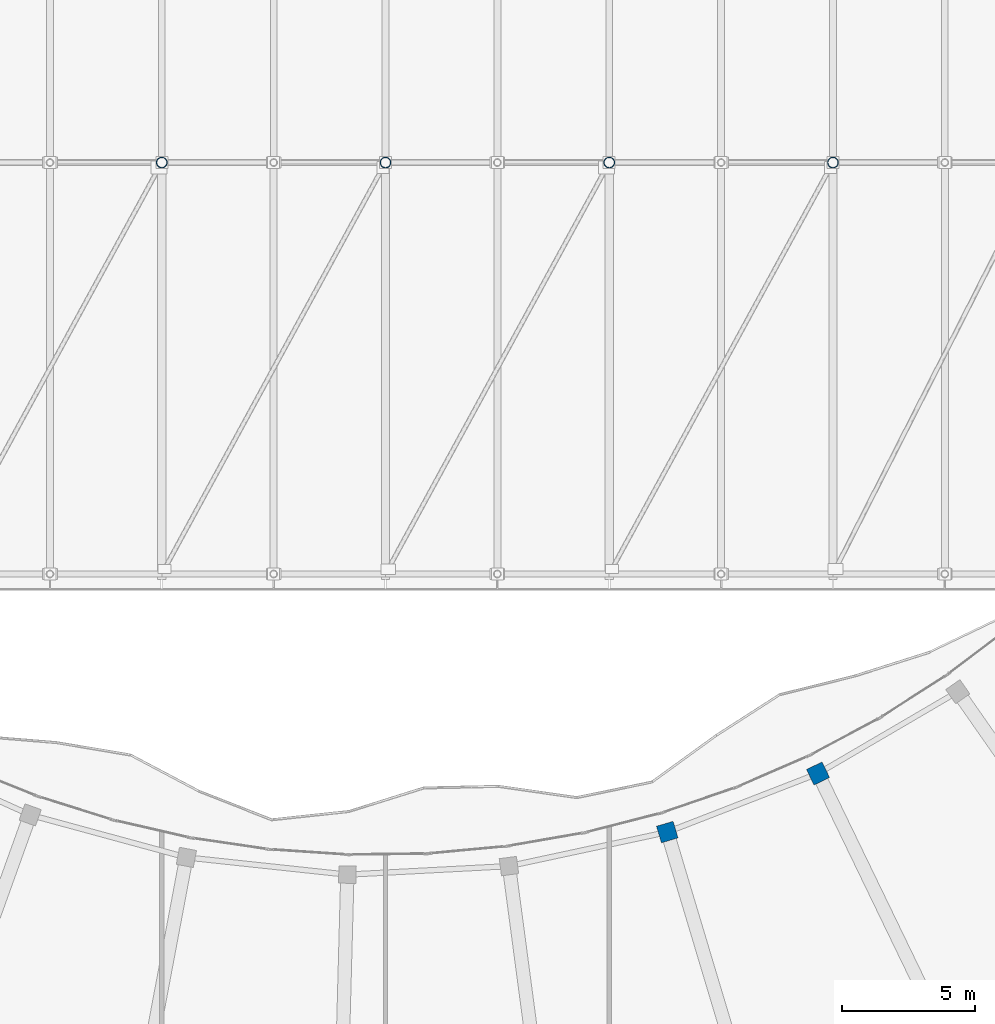
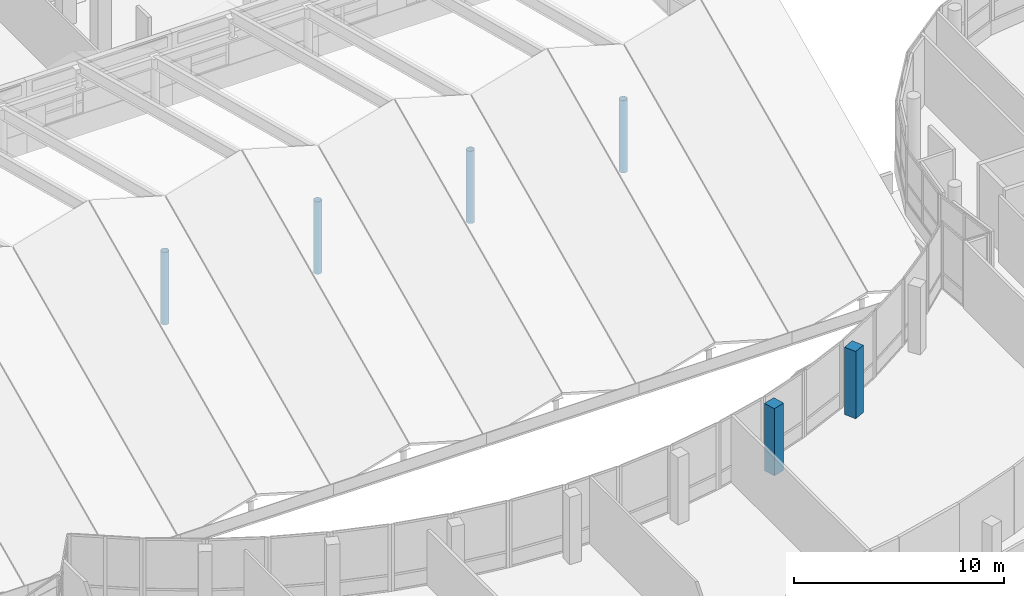
# One storey, part 3 of 184: 6 columns.
"""IFC4 building model written with IfcOpenShell, lengths in metres."""

from ifc_helpers import new_model, si_unit, direction, frame, origin, origin_2d, place, context, subcontext, project, spatial, rectangle, hollow_circle, extrude, material, material_profile, profile_set, type_object, element, save


model = new_model("IFC4")

# Units and contexts
model_context = context("Model", 3, precision=1e-05, world=origin(), true_north=direction((0.0, 1.0)))
body_context = subcontext(model_context, "Body", "Model", "MODEL_VIEW")
ifc_project = project(units=[si_unit("LENGTHUNIT", "METRE"), si_unit("AREAUNIT", "SQUARE_METRE"), si_unit("VOLUMEUNIT", "CUBIC_METRE"), si_unit("PLANEANGLEUNIT", "RADIAN"), si_unit("MASSUNIT", "GRAM", prefix="KILO")], contexts=[model_context])

# Site, building, storey
site_placement = place(None, origin())
site = spatial("IfcSite", under=ifc_project, at=site_placement, CompositionType="ELEMENT")
building_placement = place(site_placement, origin())
building = spatial("IfcBuilding", under=site, at=building_placement, Name="Selatvlak General Hospital", CompositionType="ELEMENT")
storey_placement = place(building_placement, frame((0.0, 0.0, 15.0)))
storey = spatial("IfcBuildingStorey", under=building, at=storey_placement, Name="L03", CompositionType="ELEMENT", Elevation=15.0)

# Columns
ifc_material_1 = material(Name="Steel S355", Category="steel")
ifc_material_profile_1 = material_profile(ifc_material_1, hollow_circle(Radius=0.203125, WallThickness=0.01611328125, at=origin_2d()), Name="CHS 406.4x16")
ifc_profile_set_1 = profile_set([ifc_material_profile_1], Name="Steel S355")
column_type_1 = type_object("IfcColumnType", Name="COL-CHS406", PredefinedType="COLUMN", material=ifc_profile_set_1)
for number, where, z_axis, x_axis, name in (
    (1, (48.0, 68.0, 0.0), (0.0, 0.0, 1.0), (1.0, 0.0, 0.0), "Column 011 on L03"),
    (2, (56.39990234375, 68.0, 0.0), (0.0, 0.0, 1.0), (1.0, 0.0, 0.0), "Column 014 on L03"),
    (3, (64.800048828125, 68.0, 0.0), (0.0, 0.0, 1.0), (1.0, 0.0, 0.0), "Column 017 on L03"),
    (4, (73.199951171875, 68.0, 0.0), (0.0, 0.0, 1.0), (1.0, 0.0, 0.0), "Column 020 on L03"),
):
    element("IfcColumn", number, at=place(storey_placement, frame(where, z_axis=z_axis, x_axis=x_axis)), inside=storey, type_object=column_type_1, Name=name, PredefinedType="COLUMN", context=body_context, shape_type="SweptSolid", body=[
        extrude(hollow_circle(Radius=0.203125, WallThickness=0.01611328125, at=origin_2d()), origin(), (0.0, 0.0, 1.0), 4.199951171875),
    ])
ifc_material_2 = material(Name="Concrete C40/50", Category="concrete")
ifc_material_profile_2 = material_profile(ifc_material_2, rectangle(XDim=0.64990234375, YDim=0.64990234375, at=origin_2d()), Name="RC-COL 650x650")
ifc_profile_set_2 = profile_set([ifc_material_profile_2], Name="Concrete C40/50")
column_type_2 = type_object("IfcColumnType", Name="COL-RC65", PredefinedType="COLUMN", material=ifc_profile_set_2)
for number, where, z_axis, x_axis, name in (
    (5, (66.97900390625, 42.861083984375, 0.0), (0.0, 0.0, 1.0), (-0.286858965796, 0.957972825159, 0.0), "Column 328 on L03"),
    (6, (72.639892578125, 45.06005859375, 0.0), (0.0, 0.0, 1.0), (-0.435199672053, 0.900333963285, 0.0), "Column 331 on L03"),
):
    element("IfcColumn", number, at=place(storey_placement, frame(where, z_axis=z_axis, x_axis=x_axis)), inside=storey, type_object=column_type_2, Name=name, PredefinedType="COLUMN", context=body_context, shape_type="SweptSolid", body=[
        extrude(rectangle(XDim=0.64990234375, YDim=0.64990234375, at=origin_2d()), origin(), (0.0, 0.0, 1.0), 3.909912109375),
    ])

save(model, "model.ifc")
